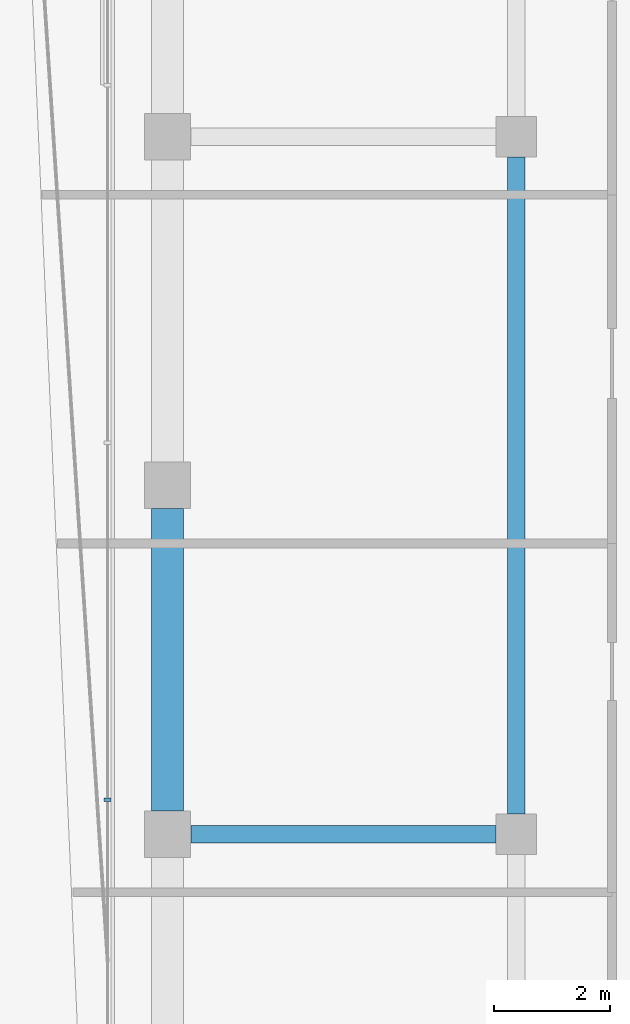
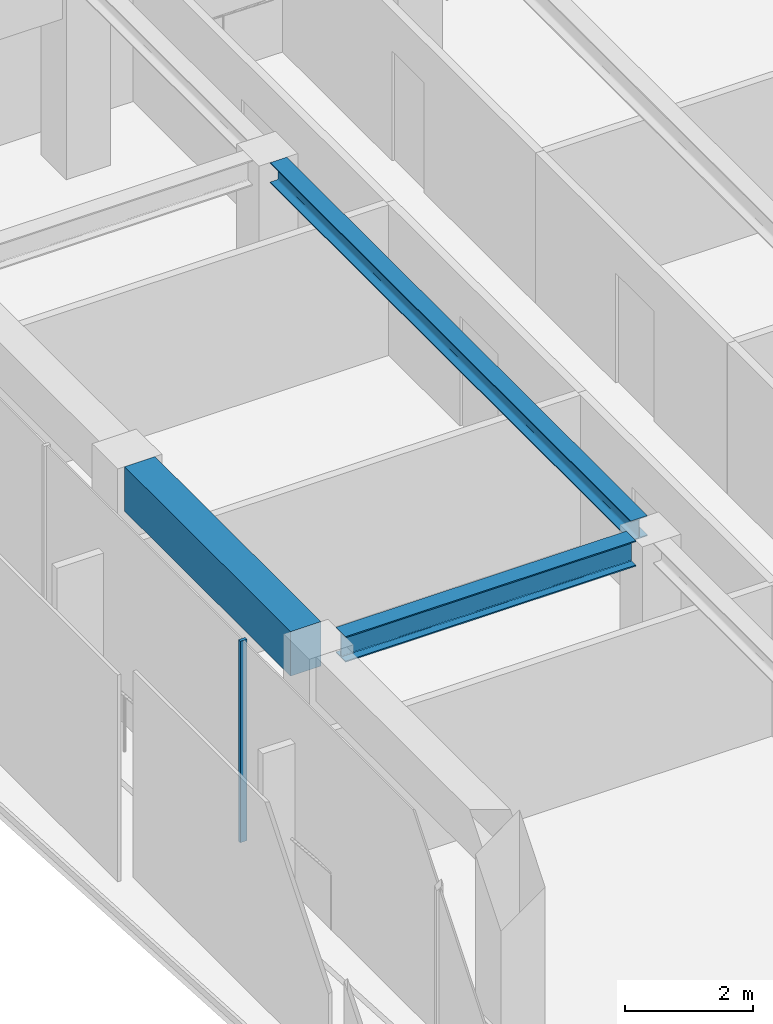
# One storey, part 11 of 21: 3 beams, 1 member, 1 element without a shape of its own.
"""IFC4 building model written with IfcOpenShell, lengths in metres."""

from ifc_helpers import new_model, si_unit, direction, frame, origin, origin_2d, place, context, subcontext, project, spatial, rectangle, i_section, extrude, material, layer, layer_set, material_profile, profile_set, type_object, element, aggregate, save


model = new_model("IFC4")

# Units and contexts
model_context = context("Model", 3, precision=1e-05, world=origin(), true_north=direction((0.0, 1.0)))
body_context = subcontext(model_context, "Body", "Model", "MODEL_VIEW")
ifc_project = project(units=[si_unit("LENGTHUNIT", "METRE"), si_unit("AREAUNIT", "SQUARE_METRE"), si_unit("VOLUMEUNIT", "CUBIC_METRE"), si_unit("PLANEANGLEUNIT", "RADIAN"), si_unit("MASSUNIT", "GRAM", prefix="KILO")], contexts=[model_context])

# Site, building, storey
site_placement = place(None, origin())
site = spatial("IfcSite", under=ifc_project, at=site_placement, CompositionType="ELEMENT")
building_placement = place(site_placement, origin())
building = spatial("IfcBuilding", under=site, at=building_placement, Name="Welwitschia Terrace Campus", CompositionType="ELEMENT")
storey_placement = place(building_placement, frame((0.0, 0.0, 218.0)))
storey = spatial("IfcBuildingStorey", under=building, at=storey_placement, Name="L48", CompositionType="ELEMENT", Elevation=218.0)

# Beam
ifc_material_1 = material(Name="Steel S355", Category="steel")
ifc_material_profile_1 = material_profile(ifc_material_1, i_section(OverallWidth=0.300048828125, OverallDepth=0.389892578125, WebThickness=0.010986328125, FlangeThickness=0.01904296875, FilletRadius=0.027099609375, at=origin_2d()))
ifc_profile_set_1 = profile_set([ifc_material_profile_1], Name="Steel S355")
beam_type_1 = type_object("IfcBeamType", Name="Interior girder HE 400 A", PredefinedType="BEAM", material=ifc_profile_set_1)
beam_1_placement = place(storey_placement, frame((6.0, 52.3505859375, 3.655029296875), z_axis=(0.0, 1.0, 0.0), x_axis=(-1.0, 0.0, 0.0)))
element("IfcBeam", 1, at=beam_1_placement, inside=storey, type_object=beam_type_1, Name="Girder GB5", PredefinedType="BEAM", context=body_context, shape_type="SweptSolid", body=[
    extrude(i_section(OverallWidth=0.300048828125, OverallDepth=0.389892578125, WebThickness=0.010986328125, FlangeThickness=0.01904296875, FilletRadius=0.027099609375, at=origin_2d()), origin(), (0.0, 0.0, 1.0), 11.298828125),
])

# Curtain wall, member
ifc_material_2 = material(Name="Bronze anodised aluminium", Category="aluminium")
ifc_layer = layer(ifc_material_2, 0.1201171875)
ifc_layer_set = layer_set([ifc_layer], Name="Bronze anodised aluminium")
curtain_wall_type = type_object("IfcCurtainWallType", Name="Curtain wall CW2 tower 6000", PredefinedType="NOTDEFINED", material=ifc_layer_set)
curtain_wall_placement = place(storey_placement, origin())
curtain_wall = element("IfcCurtainWall", 2, at=curtain_wall_placement, inside=storey, type_object=curtain_wall_type, Name="CW L48.9.0", PredefinedType="NOTDEFINED")
ifc_material_3 = material(Name="Bronze anodised aluminium", Category="aluminium")
ifc_material_profile_2 = material_profile(ifc_material_3, rectangle(XDim=0.1201171875, YDim=0.06005859375, at=origin_2d()))
ifc_profile_set_2 = profile_set([ifc_material_profile_2], Name="Bronze anodised aluminium")
member_type = type_object("IfcMemberType", Name="Mullion 60x120", PredefinedType="MULLION", material=ifc_profile_set_2)
member_placement = place(storey_placement, frame((-1.030029296875, 52.593017578125, 0.0), z_axis=(0.0, 0.0, 1.0), x_axis=(1.0, 0.0, 0.0)))
member = element("IfcMember", 3, at=member_placement, type_object=member_type, Name="Mullion L48.9.0.3", PredefinedType="MULLION", context=body_context, shape_type="SweptSolid", body=[
    extrude(rectangle(XDim=0.1201171875, YDim=0.06005859375, at=origin_2d()), origin(), (0.0, 0.0, 1.0), 3.85009765625),
])
aggregate(curtain_wall, [member])

# Beams
ifc_material_4 = material(Name="Steel S355", Category="steel")
ifc_material_profile_3 = material_profile(ifc_material_4, i_section(OverallWidth=0.300048828125, OverallDepth=0.489990234375, WebThickness=0.011962890625, FlangeThickness=0.02294921875, FilletRadius=0.027099609375, at=origin_2d()))
ifc_profile_set_3 = profile_set([ifc_material_profile_3], Name="Steel S355")
beam_type_2 = type_object("IfcBeamType", Name="Primary beam HE 500 A", PredefinedType="BEAM", material=ifc_profile_set_3)
beam_2_placement = place(storey_placement, frame((0.400390625, 52.0, 3.60498046875), z_axis=(1.0, 0.0, 0.0), x_axis=(0.0, 1.0, 0.0)))
element("IfcBeam", 4, at=beam_2_placement, inside=storey, type_object=beam_type_2, Name="Primary beam PB5", PredefinedType="BEAM", context=body_context, shape_type="SweptSolid", body=[
    extrude(i_section(OverallWidth=0.300048828125, OverallDepth=0.489990234375, WebThickness=0.011962890625, FlangeThickness=0.02294921875, FilletRadius=0.027099609375, at=origin_2d()), origin(), (0.0, 0.0, 1.0), 5.2490234375),
])
ifc_material_5 = material(Name="Concrete C50/60", Category="concrete")
ifc_material_profile_4 = material_profile(ifc_material_5, rectangle(XDim=0.550048828125, YDim=0.85009765625, at=origin_2d()))
ifc_profile_set_4 = profile_set([ifc_material_profile_4], Name="Concrete C50/60")
beam_type_3 = type_object("IfcBeamType", Name="Ring spandrel 550x850", PredefinedType="SPANDREL", material=ifc_profile_set_4)
beam_3_placement = place(storey_placement, frame((0.0, 57.599609375, 3.425048828125), z_axis=(0.0, -1.0, 0.0), x_axis=(1.0, 0.0, 0.0)))
element("IfcBeam", 5, at=beam_3_placement, inside=storey, type_object=beam_type_3, Name="Spandrel SP3", PredefinedType="SPANDREL", context=body_context, shape_type="SweptSolid", body=[
    extrude(rectangle(XDim=0.550048828125, YDim=0.85009765625, at=origin_2d()), origin(), (0.0, 0.0, 1.0), 5.19921875),
])

save(model, "model.ifc")
